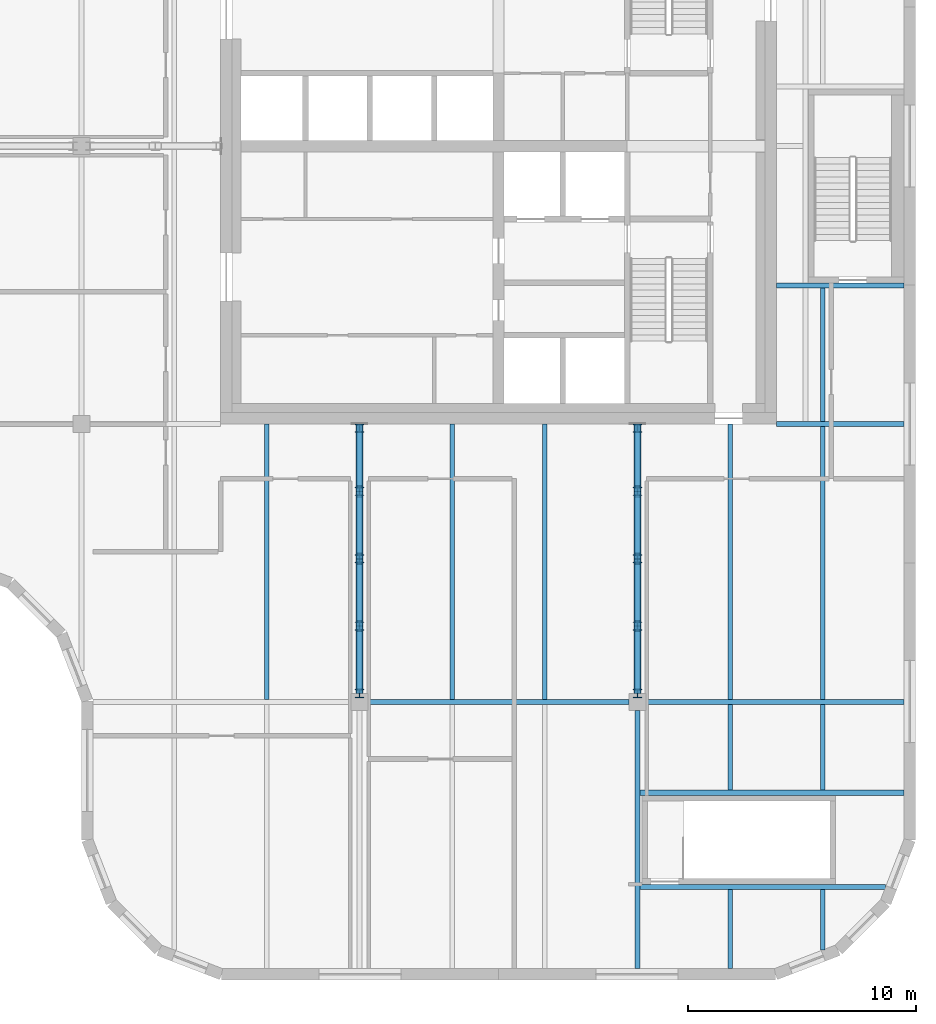
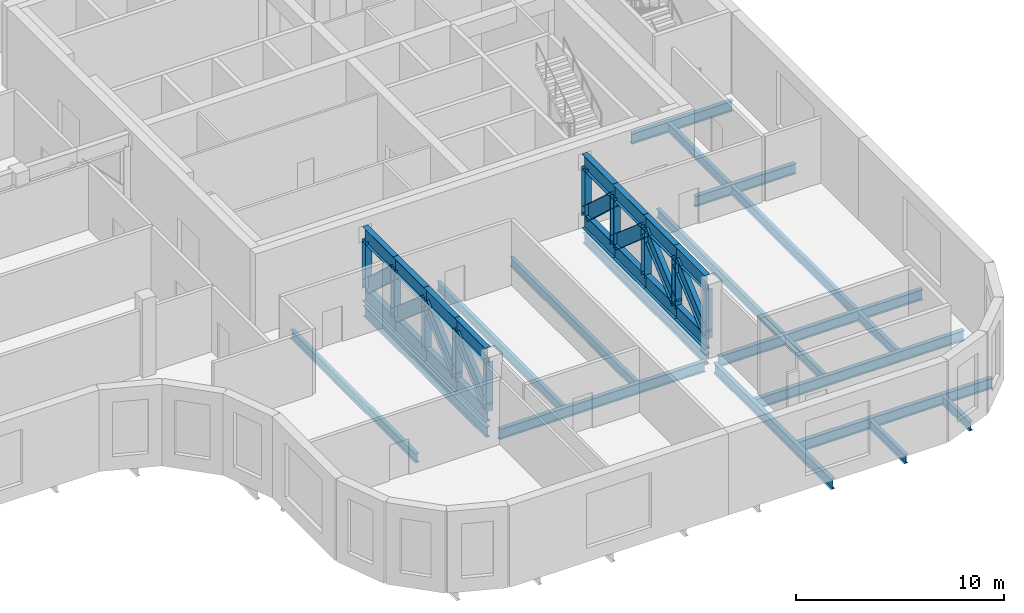
# One storey, part 2 of 12: 35 beams, 18 members.
"""IFC4 building model written with IfcOpenShell, lengths in metres."""

from ifc_helpers import new_model, si_unit, direction, frame, origin, origin_2d, place, context, subcontext, project, spatial, i_section, extrude, material, material_profile, profile_set, type_object, element, save


model = new_model("IFC4")

# Units and contexts
model_context = context("Model", 3, precision=1e-05, world=origin(), true_north=direction((0.0, 1.0)))
body_context = subcontext(model_context, "Body", "Model", "MODEL_VIEW")
ifc_project = project(units=[si_unit("LENGTHUNIT", "METRE"), si_unit("AREAUNIT", "SQUARE_METRE"), si_unit("VOLUMEUNIT", "CUBIC_METRE"), si_unit("PLANEANGLEUNIT", "RADIAN"), si_unit("MASSUNIT", "GRAM", prefix="KILO")], contexts=[model_context])

# Site, building, storey
site_placement = place(None, origin())
site = spatial("IfcSite", under=ifc_project, at=site_placement, CompositionType="ELEMENT")
building_placement = place(site_placement, origin())
building = spatial("IfcBuilding", under=site, at=building_placement, Name="Tessera Gate Towers", CompositionType="ELEMENT")
storey_placement = place(building_placement, frame((0.0, 0.0, 232.10009765625)))
storey = spatial("IfcBuildingStorey", under=building, at=storey_placement, Name="L58", CompositionType="ELEMENT", Elevation=232.10009765625)

# Beams
ifc_material_1 = material(Name="Steel 350W", Category="steel")
ifc_material_profile_1 = material_profile(ifc_material_1, i_section(OverallWidth=0.22900390625, OverallDepth=0.612060546875, WebThickness=0.011962890625, FlangeThickness=0.01953125, at=origin_2d()), Name="W610x125")
ifc_profile_set_1 = profile_set([ifc_material_profile_1], Name="Steel 350W")
beam_type_1 = type_object("IfcBeamType", Name="FLOOR GIRDER W610x125", PredefinedType="BEAM", material=ifc_profile_set_1)
beam_1_placement = place(storey_placement, frame((36.97509765625, 12.199951171875, -0.606201171875), z_axis=(1.0, 0.0, 0.0), x_axis=(0.0, 1.0, 0.0)))
element("IfcBeam", 1, at=beam_1_placement, inside=storey, type_object=beam_type_1, Name="T1-GD-L58-5849", PredefinedType="BEAM", context=body_context, shape_type="SweptSolid", body=[
    extrude(i_section(OverallWidth=0.22900390625, OverallDepth=0.612060546875, WebThickness=0.011962890625, FlangeThickness=0.01953125, at=origin_2d()), origin(), (0.0, 0.0, 1.0), 11.449951171875),
])
beam_2_placement = place(storey_placement, frame((49.175048828125, 12.199951171875, -0.606201171875), z_axis=(1.0, 0.0, 0.0), x_axis=(0.0, 1.0, 0.0)))
element("IfcBeam", 2, at=beam_2_placement, inside=storey, type_object=beam_type_1, Name="T1-GD-L58-5850", PredefinedType="BEAM", context=body_context, shape_type="SweptSolid", body=[
    extrude(i_section(OverallWidth=0.22900390625, OverallDepth=0.612060546875, WebThickness=0.011962890625, FlangeThickness=0.01953125, at=origin_2d()), origin(), (0.0, 0.0, 1.0), 11.325927734375),
])
beam_3_placement = place(storey_placement, frame((54.90087890625, 24.39990234375, -0.606201171875), z_axis=(1.0, 0.0, 0.0), x_axis=(0.0, 1.0, 0.0)))
element("IfcBeam", 3, at=beam_3_placement, inside=storey, type_object=beam_type_1, Name="T1-GD-L58-5854", PredefinedType="BEAM", context=body_context, shape_type="SweptSolid", body=[
    extrude(i_section(OverallWidth=0.22900390625, OverallDepth=0.612060546875, WebThickness=0.011962890625, FlangeThickness=0.01953125, at=origin_2d()), origin(), (0.0, 0.0, 1.0), 5.60009765625),
])
beam_4_placement = place(storey_placement, frame((36.60009765625, 12.574951171875, -0.606201171875), z_axis=(0.0, 1.0, 0.0), x_axis=(-1.0, 0.0, 0.0)))
element("IfcBeam", 4, at=beam_4_placement, inside=storey, type_object=beam_type_1, Name="T1-GD-L58-5872", PredefinedType="BEAM", context=body_context, shape_type="SweptSolid", body=[
    extrude(i_section(OverallWidth=0.22900390625, OverallDepth=0.612060546875, WebThickness=0.011962890625, FlangeThickness=0.01953125, at=origin_2d()), origin(), (0.0, 0.0, 1.0), 11.824951171875),
])
beam_5_placement = place(storey_placement, frame((48.800048828125, 0.4990234375, -0.606201171875), z_axis=(0.0, 1.0, 0.0), x_axis=(-1.0, 0.0, 0.0)))
element("IfcBeam", 5, at=beam_5_placement, inside=storey, type_object=beam_type_1, Name="T1-GD-L58-5873", PredefinedType="BEAM", context=body_context, shape_type="SweptSolid", body=[
    extrude(i_section(OverallWidth=0.22900390625, OverallDepth=0.612060546875, WebThickness=0.011962890625, FlangeThickness=0.01953125, at=origin_2d()), origin(), (0.0, 0.0, 1.0), 11.325927734375),
])
beam_6_placement = place(storey_placement, frame((48.800048828125, 12.574951171875, -0.606201171875), z_axis=(0.0, 1.0, 0.0), x_axis=(-1.0, 0.0, 0.0)))
element("IfcBeam", 6, at=beam_6_placement, inside=storey, type_object=beam_type_1, Name="T1-GD-L58-5874", PredefinedType="BEAM", context=body_context, shape_type="SweptSolid", body=[
    extrude(i_section(OverallWidth=0.22900390625, OverallDepth=0.612060546875, WebThickness=0.011962890625, FlangeThickness=0.01953125, at=origin_2d()), origin(), (0.0, 0.0, 1.0), 11.824951171875),
])
beam_7_placement = place(storey_placement, frame((48.904541015625, 4.080078125, -0.606201171875), z_axis=(1.0, 0.0, 0.0), x_axis=(0.0, 1.0, 0.0)))
element("IfcBeam", 7, at=beam_7_placement, inside=storey, type_object=beam_type_1, Name="T1-GD-L58-5877", PredefinedType="BEAM", context=body_context, shape_type="SweptSolid", body=[
    extrude(i_section(OverallWidth=0.22900390625, OverallDepth=0.612060546875, WebThickness=0.011962890625, FlangeThickness=0.01953125, at=origin_2d()), origin(), (0.0, 0.0, 1.0), 10.78125),
])
beam_8_placement = place(storey_placement, frame((48.904541015625, 8.219970703125, -0.606201171875), z_axis=(1.0, 0.0, 0.0), x_axis=(0.0, 1.0, 0.0)))
element("IfcBeam", 8, at=beam_8_placement, inside=storey, type_object=beam_type_1, Name="T1-GD-L58-5878", PredefinedType="BEAM", context=body_context, shape_type="SweptSolid", body=[
    extrude(i_section(OverallWidth=0.22900390625, OverallDepth=0.612060546875, WebThickness=0.011962890625, FlangeThickness=0.01953125, at=origin_2d()), origin(), (0.0, 0.0, 1.0), 11.596435546875),
])
beam_9_placement = place(storey_placement, frame((54.89892578125, 30.47998046875, -0.606201171875), z_axis=(1.0, 0.0, 0.0), x_axis=(0.0, 1.0, 0.0)))
element("IfcBeam", 9, at=beam_9_placement, inside=storey, type_object=beam_type_1, Name="T1-GD-L58-5879", PredefinedType="BEAM", context=body_context, shape_type="SweptSolid", body=[
    extrude(i_section(OverallWidth=0.22900390625, OverallDepth=0.612060546875, WebThickness=0.011962890625, FlangeThickness=0.01953125, at=origin_2d()), origin(), (0.0, 0.0, 1.0), 5.60205078125),
])
ifc_material_2 = material(Name="Steel 350W", Category="steel")
ifc_material_profile_2 = material_profile(ifc_material_2, i_section(OverallWidth=0.208984375, OverallDepth=0.528076171875, WebThickness=0.009521484375, FlangeThickness=0.01318359375, at=origin_2d()), Name="W530x82")
ifc_profile_set_2 = profile_set([ifc_material_profile_2], Name="Steel 350W")
beam_type_2 = type_object("IfcBeamType", Name="FLOOR SECONDARY W530x82", PredefinedType="BEAM", material=ifc_profile_set_2)
for number, where, z_axis, x_axis, name in (
    (10, (32.533203125, 12.314453125, -0.564208984375), (0.0, 1.0, 0.0), (-1.0, 0.0, 0.0), "T1-BM-L58-5904"),
    (11, (40.666748046875, 12.314453125, -0.564208984375), (0.0, 1.0, 0.0), (-1.0, 0.0, 0.0), "T1-BM-L58-5908"),
    (12, (44.7333984375, 12.314453125, -0.564208984375), (0.0, 1.0, 0.0), (-1.0, 0.0, 0.0), "T1-BM-L58-5911"),
):
    element("IfcBeam", number, at=place(storey_placement, frame(where, z_axis=z_axis, x_axis=x_axis)), inside=storey, type_object=beam_type_2, Name=name, PredefinedType="BEAM", context=body_context, shape_type="SweptSolid", body=[
        extrude(i_section(OverallWidth=0.208984375, OverallDepth=0.528076171875, WebThickness=0.009521484375, FlangeThickness=0.01318359375, at=origin_2d()), origin(), (0.0, 0.0, 1.0), 12.08544921875),
    ])
beam_10_placement = place(storey_placement, frame((52.86669921875, 0.5, -0.564208984375), z_axis=(0.0, 1.0, 0.0), x_axis=(-1.0, 0.0, 0.0)))
element("IfcBeam", 13, at=beam_10_placement, inside=storey, type_object=beam_type_2, Name="T1-BM-L58-5914", PredefinedType="BEAM", context=body_context, shape_type="SweptSolid", body=[
    extrude(i_section(OverallWidth=0.208984375, OverallDepth=0.528076171875, WebThickness=0.009521484375, FlangeThickness=0.01318359375, at=origin_2d()), origin(), (0.0, 0.0, 1.0), 3.465576171875),
])
beam_11_placement = place(storey_placement, frame((52.86669921875, 8.33447265625, -0.564208984375), z_axis=(0.0, 1.0, 0.0), x_axis=(-1.0, 0.0, 0.0)))
element("IfcBeam", 14, at=beam_11_placement, inside=storey, type_object=beam_type_2, Name="T1-BM-L58-5915", PredefinedType="BEAM", context=body_context, shape_type="SweptSolid", body=[
    extrude(i_section(OverallWidth=0.208984375, OverallDepth=0.528076171875, WebThickness=0.009521484375, FlangeThickness=0.01318359375, at=origin_2d()), origin(), (0.0, 0.0, 1.0), 3.7509765625),
])
beam_12_placement = place(storey_placement, frame((52.86669921875, 12.314453125, -0.564208984375), z_axis=(0.0, 1.0, 0.0), x_axis=(-1.0, 0.0, 0.0)))
element("IfcBeam", 15, at=beam_12_placement, inside=storey, type_object=beam_type_2, Name="T1-BM-L58-5916", PredefinedType="BEAM", context=body_context, shape_type="SweptSolid", body=[
    extrude(i_section(OverallWidth=0.208984375, OverallDepth=0.528076171875, WebThickness=0.009521484375, FlangeThickness=0.01318359375, at=origin_2d()), origin(), (0.0, 0.0, 1.0), 12.08544921875),
])
beam_13_placement = place(storey_placement, frame((56.933349609375, 1.3203125, -0.564208984375), z_axis=(0.0, 1.0, 0.0), x_axis=(-1.0, 0.0, 0.0)))
element("IfcBeam", 16, at=beam_13_placement, inside=storey, type_object=beam_type_2, Name="T1-BM-L58-5918", PredefinedType="BEAM", context=body_context, shape_type="SweptSolid", body=[
    extrude(i_section(OverallWidth=0.208984375, OverallDepth=0.528076171875, WebThickness=0.009521484375, FlangeThickness=0.01318359375, at=origin_2d()), origin(), (0.0, 0.0, 1.0), 2.645263671875),
])
beam_14_placement = place(storey_placement, frame((56.933349609375, 8.33447265625, -0.564208984375), z_axis=(0.0, 1.0, 0.0), x_axis=(-1.0, 0.0, 0.0)))
element("IfcBeam", 17, at=beam_14_placement, inside=storey, type_object=beam_type_2, Name="T1-BM-L58-5919", PredefinedType="BEAM", context=body_context, shape_type="SweptSolid", body=[
    extrude(i_section(OverallWidth=0.208984375, OverallDepth=0.528076171875, WebThickness=0.009521484375, FlangeThickness=0.01318359375, at=origin_2d()), origin(), (0.0, 0.0, 1.0), 3.7509765625),
])
beam_15_placement = place(storey_placement, frame((56.933349609375, 12.314453125, -0.564208984375), z_axis=(0.0, 1.0, 0.0), x_axis=(-1.0, 0.0, 0.0)))
element("IfcBeam", 18, at=beam_15_placement, inside=storey, type_object=beam_type_2, Name="T1-BM-L58-5920", PredefinedType="BEAM", context=body_context, shape_type="SweptSolid", body=[
    extrude(i_section(OverallWidth=0.208984375, OverallDepth=0.528076171875, WebThickness=0.009521484375, FlangeThickness=0.01318359375, at=origin_2d()), origin(), (0.0, 0.0, 1.0), 11.970947265625),
])
beam_16_placement = place(storey_placement, frame((56.933349609375, 24.514404296875, -0.564208984375), z_axis=(0.0, 1.0, 0.0), x_axis=(-1.0, 0.0, 0.0)))
element("IfcBeam", 19, at=beam_16_placement, inside=storey, type_object=beam_type_2, Name="T1-BM-L58-5921", PredefinedType="BEAM", context=body_context, shape_type="SweptSolid", body=[
    extrude(i_section(OverallWidth=0.208984375, OverallDepth=0.528076171875, WebThickness=0.009521484375, FlangeThickness=0.01318359375, at=origin_2d()), origin(), (0.0, 0.0, 1.0), 5.85107421875),
])

# Members
ifc_material_3 = material(Name="Steel 350W", Category="steel")
ifc_material_profile_3 = material_profile(ifc_material_3, i_section(OverallWidth=0.264892578125, OverallDepth=0.7529296875, WebThickness=0.01318359375, FlangeThickness=0.01708984375, at=origin_2d()), Name="W760x147")
ifc_profile_set_3 = profile_set([ifc_material_profile_3], Name="Steel 350W")
member_type_1 = type_object("IfcMemberType", Name="OUTRIGGER BRACE W760x147", PredefinedType="BRACE", material=ifc_profile_set_3)
member_1_placement = place(storey_placement, frame((36.60009765625, 24.215576171875, 0.90283203125), z_axis=(0.0, -0.736728432406, 0.676188743536), x_axis=(1.0, 0.0, 0.0)))
element("IfcMember", 20, at=member_1_placement, inside=storey, type_object=member_type_1, Name="Outrigger truss T1 L58 S1a brace D1", PredefinedType="BRACE", context=body_context, shape_type="SweptSolid", body=[
    extrude(i_section(OverallWidth=0.264892578125, OverallDepth=0.7529296875, WebThickness=0.01318359375, FlangeThickness=0.01708984375, at=origin_2d()), origin(), (0.0, 0.0, 1.0), 3.762451171875),
])
member_2_placement = place(storey_placement, frame((36.60009765625, 21.443603515625, 0.90283203125), z_axis=(0.0, -0.757933856507, 0.652331410527), x_axis=(1.0, 0.0, 0.0)))
element("IfcMember", 21, at=member_2_placement, inside=storey, type_object=member_type_1, Name="Outrigger truss T1 L58 S1a brace D2", PredefinedType="BRACE", context=body_context, shape_type="SweptSolid", body=[
    extrude(i_section(OverallWidth=0.264892578125, OverallDepth=0.7529296875, WebThickness=0.01318359375, FlangeThickness=0.01708984375, at=origin_2d()), origin(), (0.0, 0.0, 1.0), 3.900146484375),
])
for number, where, z_axis, x_axis, name in (
    (22, (36.60009765625, 15.53125, 0.90283203125), (0.0, 0.757960492235, 0.652300461606), (-1.0, 0.0, 0.0), "Outrigger truss T1 L58 S1a brace D3"),
    (23, (36.60009765625, 12.574951171875, 0.90283203125), (0.0, 0.757960492235, 0.652300461606), (-1.0, 0.0, 0.0), "Outrigger truss T1 L58 S1a brace D4"),
):
    element("IfcMember", number, at=place(storey_placement, frame(where, z_axis=z_axis, x_axis=x_axis)), inside=storey, type_object=member_type_1, Name=name, PredefinedType="BRACE", context=body_context, shape_type="SweptSolid", body=[
        extrude(i_section(OverallWidth=0.264892578125, OverallDepth=0.7529296875, WebThickness=0.01318359375, FlangeThickness=0.01708984375, at=origin_2d()), origin(), (0.0, 0.0, 1.0), 3.900390625),
    ])
member_3_placement = place(storey_placement, frame((48.800048828125, 24.215576171875, 0.90283203125), z_axis=(0.0, -0.736728432406, 0.676188743536), x_axis=(1.0, 0.0, 0.0)))
element("IfcMember", 24, at=member_3_placement, inside=storey, type_object=member_type_1, Name="Outrigger truss T1 L58 S2a brace D1", PredefinedType="BRACE", context=body_context, shape_type="SweptSolid", body=[
    extrude(i_section(OverallWidth=0.264892578125, OverallDepth=0.7529296875, WebThickness=0.01318359375, FlangeThickness=0.01708984375, at=origin_2d()), origin(), (0.0, 0.0, 1.0), 3.762451171875),
])
member_4_placement = place(storey_placement, frame((48.800048828125, 21.443603515625, 0.90283203125), z_axis=(0.0, -0.757933856507, 0.652331410527), x_axis=(1.0, 0.0, 0.0)))
element("IfcMember", 25, at=member_4_placement, inside=storey, type_object=member_type_1, Name="Outrigger truss T1 L58 S2a brace D2", PredefinedType="BRACE", context=body_context, shape_type="SweptSolid", body=[
    extrude(i_section(OverallWidth=0.264892578125, OverallDepth=0.7529296875, WebThickness=0.01318359375, FlangeThickness=0.01708984375, at=origin_2d()), origin(), (0.0, 0.0, 1.0), 3.900146484375),
])
for number, where, z_axis, x_axis, name in (
    (26, (48.800048828125, 15.53125, 0.90283203125), (0.0, 0.757960492235, 0.652300461606), (-1.0, 0.0, 0.0), "Outrigger truss T1 L58 S2a brace D3"),
    (27, (48.800048828125, 12.574951171875, 0.90283203125), (0.0, 0.757960492235, 0.652300461606), (-1.0, 0.0, 0.0), "Outrigger truss T1 L58 S2a brace D4"),
):
    element("IfcMember", number, at=place(storey_placement, frame(where, z_axis=z_axis, x_axis=x_axis)), inside=storey, type_object=member_type_1, Name=name, PredefinedType="BRACE", context=body_context, shape_type="SweptSolid", body=[
        extrude(i_section(OverallWidth=0.264892578125, OverallDepth=0.7529296875, WebThickness=0.01318359375, FlangeThickness=0.01708984375, at=origin_2d()), origin(), (0.0, 0.0, 1.0), 3.900390625),
    ])

# Beams
ifc_material_4 = material(Name="Steel 350W", Category="steel")
ifc_material_profile_4 = material_profile(ifc_material_4, i_section(OverallWidth=0.303955078125, OverallDepth=0.903076171875, WebThickness=0.01513671875, FlangeThickness=0.02001953125, at=origin_2d()), Name="W920x201")
ifc_profile_set_4 = profile_set([ifc_material_profile_4], Name="Steel 350W")
beam_type_3 = type_object("IfcBeamType", Name="OUTRIGGER CHORD W920x201", PredefinedType="BEAM", material=ifc_profile_set_4)
for number, where, z_axis, x_axis, name in (
    (28, (36.60009765625, 24.39990234375, 3.8984375), (0.0, -1.0, 0.0), (1.0, 0.0, 0.0), "Outrigger truss T1 L58 S1a top chord TC1"),
    (29, (36.60009765625, 24.39990234375, 0.451416015625), (0.0, -1.0, 0.0), (1.0, 0.0, 0.0), "Outrigger truss T1 L58 S1a bottom chord BC1"),
):
    element("IfcBeam", number, at=place(storey_placement, frame(where, z_axis=z_axis, x_axis=x_axis)), inside=storey, type_object=beam_type_3, Name=name, PredefinedType="BEAM", context=body_context, shape_type="SweptSolid", body=[
        extrude(i_section(OverallWidth=0.303955078125, OverallDepth=0.903076171875, WebThickness=0.01513671875, FlangeThickness=0.02001953125, at=origin_2d()), origin(), (0.0, 0.0, 1.0), 2.956298828125),
    ])
for number, where, z_axis, x_axis, name in (
    (30, (36.60009765625, 21.443603515625, 3.8984375), (0.0, -1.0, 0.0), (1.0, 0.0, 0.0), "Outrigger truss T1 L58 S1a top chord TC2"),
    (31, (36.60009765625, 21.443603515625, 0.451416015625), (0.0, -1.0, 0.0), (1.0, 0.0, 0.0), "Outrigger truss T1 L58 S1a bottom chord BC2"),
):
    element("IfcBeam", number, at=place(storey_placement, frame(where, z_axis=z_axis, x_axis=x_axis)), inside=storey, type_object=beam_type_3, Name=name, PredefinedType="BEAM", context=body_context, shape_type="SweptSolid", body=[
        extrude(i_section(OverallWidth=0.303955078125, OverallDepth=0.903076171875, WebThickness=0.01513671875, FlangeThickness=0.02001953125, at=origin_2d()), origin(), (0.0, 0.0, 1.0), 2.9560546875),
    ])
for number, where, z_axis, x_axis, name in (
    (32, (36.60009765625, 18.487548828125, 3.8984375), (0.0, -1.0, 0.0), (1.0, 0.0, 0.0), "Outrigger truss T1 L58 S1a top chord TC3"),
    (33, (36.60009765625, 18.487548828125, 0.451416015625), (0.0, -1.0, 0.0), (1.0, 0.0, 0.0), "Outrigger truss T1 L58 S1a bottom chord BC3"),
    (34, (36.60009765625, 15.53125, 3.8984375), (0.0, -1.0, 0.0), (1.0, 0.0, 0.0), "Outrigger truss T1 L58 S1a top chord TC4"),
    (35, (36.60009765625, 15.53125, 0.451416015625), (0.0, -1.0, 0.0), (1.0, 0.0, 0.0), "Outrigger truss T1 L58 S1a bottom chord BC4"),
    (36, (48.800048828125, 24.39990234375, 3.8984375), (0.0, -1.0, 0.0), (1.0, 0.0, 0.0), "Outrigger truss T1 L58 S2a top chord TC1"),
    (37, (48.800048828125, 24.39990234375, 0.451416015625), (0.0, -1.0, 0.0), (1.0, 0.0, 0.0), "Outrigger truss T1 L58 S2a bottom chord BC1"),
):
    element("IfcBeam", number, at=place(storey_placement, frame(where, z_axis=z_axis, x_axis=x_axis)), inside=storey, type_object=beam_type_3, Name=name, PredefinedType="BEAM", context=body_context, shape_type="SweptSolid", body=[
        extrude(i_section(OverallWidth=0.303955078125, OverallDepth=0.903076171875, WebThickness=0.01513671875, FlangeThickness=0.02001953125, at=origin_2d()), origin(), (0.0, 0.0, 1.0), 2.956298828125),
    ])
for number, where, z_axis, x_axis, name in (
    (38, (48.800048828125, 21.443603515625, 3.8984375), (0.0, -1.0, 0.0), (1.0, 0.0, 0.0), "Outrigger truss T1 L58 S2a top chord TC2"),
    (39, (48.800048828125, 21.443603515625, 0.451416015625), (0.0, -1.0, 0.0), (1.0, 0.0, 0.0), "Outrigger truss T1 L58 S2a bottom chord BC2"),
):
    element("IfcBeam", number, at=place(storey_placement, frame(where, z_axis=z_axis, x_axis=x_axis)), inside=storey, type_object=beam_type_3, Name=name, PredefinedType="BEAM", context=body_context, shape_type="SweptSolid", body=[
        extrude(i_section(OverallWidth=0.303955078125, OverallDepth=0.903076171875, WebThickness=0.01513671875, FlangeThickness=0.02001953125, at=origin_2d()), origin(), (0.0, 0.0, 1.0), 2.9560546875),
    ])
for number, where, z_axis, x_axis, name in (
    (40, (48.800048828125, 18.487548828125, 3.8984375), (0.0, -1.0, 0.0), (1.0, 0.0, 0.0), "Outrigger truss T1 L58 S2a top chord TC3"),
    (41, (48.800048828125, 18.487548828125, 0.451416015625), (0.0, -1.0, 0.0), (1.0, 0.0, 0.0), "Outrigger truss T1 L58 S2a bottom chord BC3"),
    (42, (48.800048828125, 15.53125, 3.8984375), (0.0, -1.0, 0.0), (1.0, 0.0, 0.0), "Outrigger truss T1 L58 S2a top chord TC4"),
    (43, (48.800048828125, 15.53125, 0.451416015625), (0.0, -1.0, 0.0), (1.0, 0.0, 0.0), "Outrigger truss T1 L58 S2a bottom chord BC4"),
):
    element("IfcBeam", number, at=place(storey_placement, frame(where, z_axis=z_axis, x_axis=x_axis)), inside=storey, type_object=beam_type_3, Name=name, PredefinedType="BEAM", context=body_context, shape_type="SweptSolid", body=[
        extrude(i_section(OverallWidth=0.303955078125, OverallDepth=0.903076171875, WebThickness=0.01513671875, FlangeThickness=0.02001953125, at=origin_2d()), origin(), (0.0, 0.0, 1.0), 2.956298828125),
    ])

# Members
ifc_material_5 = material(Name="Steel 350W", Category="steel")
ifc_material_profile_5 = material_profile(ifc_material_5, i_section(OverallWidth=0.368896484375, OverallDepth=0.35595703125, WebThickness=0.01123046875, FlangeThickness=0.01806640625, at=origin_2d()), Name="W360x134")
ifc_profile_set_5 = profile_set([ifc_material_profile_5], Name="Steel 350W")
member_type_2 = type_object("IfcMemberType", Name="OUTRIGGER POST W360x134", PredefinedType="POST", material=ifc_profile_set_5)
for number, where, z_axis, x_axis, name in (
    (44, (36.60009765625, 24.215576171875, 0.72314453125), (0.0, 0.0, 1.0), (1.0, 0.0, 0.0), "Outrigger truss T1 L58 S1a post V0"),
    (45, (36.60009765625, 21.443603515625, 0.72314453125), (0.0, 0.0, 1.0), (1.0, 0.0, 0.0), "Outrigger truss T1 L58 S1a post V1"),
    (46, (36.60009765625, 18.487548828125, 0.72314453125), (0.0, 0.0, 1.0), (1.0, 0.0, 0.0), "Outrigger truss T1 L58 S1a post V2"),
    (47, (36.60009765625, 15.53125, 0.72314453125), (0.0, 0.0, 1.0), (1.0, 0.0, 0.0), "Outrigger truss T1 L58 S1a post V3"),
    (48, (36.60009765625, 12.574951171875, 0.72314453125), (0.0, 0.0, 1.0), (1.0, 0.0, 0.0), "Outrigger truss T1 L58 S1a post V4"),
    (49, (48.800048828125, 24.215576171875, 0.72314453125), (0.0, 0.0, 1.0), (1.0, 0.0, 0.0), "Outrigger truss T1 L58 S2a post V0"),
    (50, (48.800048828125, 21.443603515625, 0.72314453125), (0.0, 0.0, 1.0), (1.0, 0.0, 0.0), "Outrigger truss T1 L58 S2a post V1"),
    (51, (48.800048828125, 18.487548828125, 0.72314453125), (0.0, 0.0, 1.0), (1.0, 0.0, 0.0), "Outrigger truss T1 L58 S2a post V2"),
    (52, (48.800048828125, 15.53125, 0.72314453125), (0.0, 0.0, 1.0), (1.0, 0.0, 0.0), "Outrigger truss T1 L58 S2a post V3"),
    (53, (48.800048828125, 12.574951171875, 0.72314453125), (0.0, 0.0, 1.0), (1.0, 0.0, 0.0), "Outrigger truss T1 L58 S2a post V4"),
):
    element("IfcMember", number, at=place(storey_placement, frame(where, z_axis=z_axis, x_axis=x_axis)), inside=storey, type_object=member_type_2, Name=name, PredefinedType="POST", context=body_context, shape_type="SweptSolid", body=[
        extrude(i_section(OverallWidth=0.368896484375, OverallDepth=0.35595703125, WebThickness=0.01123046875, FlangeThickness=0.01806640625, at=origin_2d()), origin(), (0.0, 0.0, 1.0), 2.903564453125),
    ])

save(model, "model.ifc")
